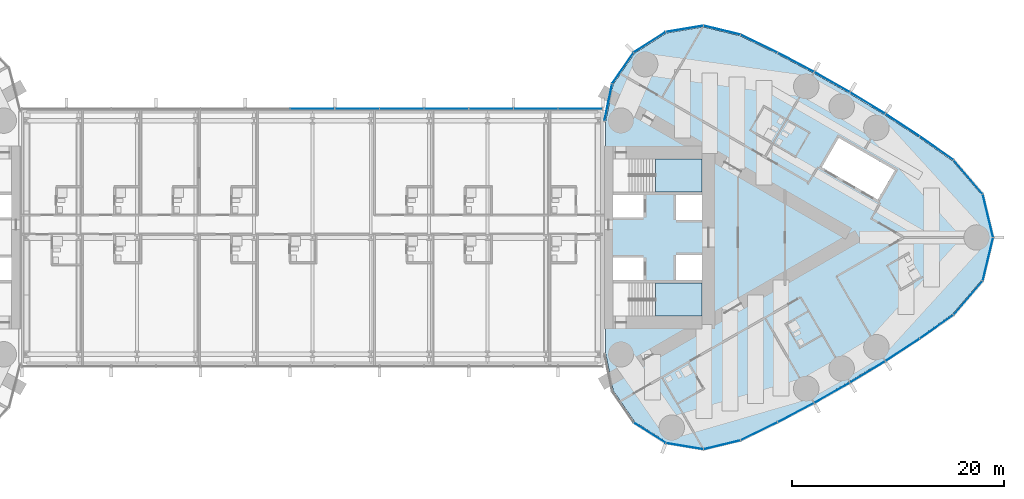
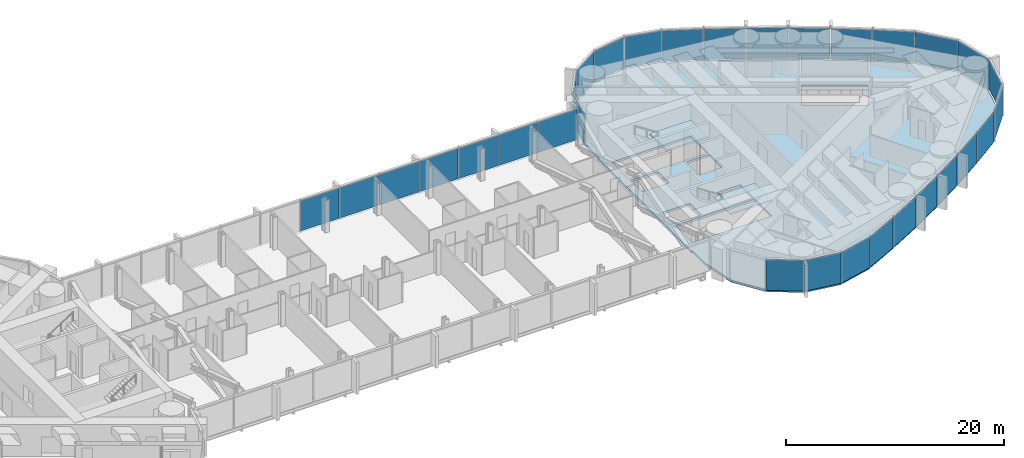
# One storey, part 13 of 22: 31 plates, 3 slabs, 4 elements without a shape of their own.
"""IFC4 building model written with IfcOpenShell, lengths in metres."""

from ifc_helpers import new_model, si_unit, direction, frame, origin, origin_2d, place, context, subcontext, project, spatial, polyline, rectangle, outline, extrude, material, layer, layer_set, type_object, element, aggregate, save


model = new_model("IFC4")

# Units and contexts
model_context = context("Model", 3, precision=1e-05, world=origin(), true_north=direction((0.0, 1.0)))
body_context = subcontext(model_context, "Body", "Model", "MODEL_VIEW")
ifc_project = project(units=[si_unit("LENGTHUNIT", "METRE"), si_unit("AREAUNIT", "SQUARE_METRE"), si_unit("VOLUMEUNIT", "CUBIC_METRE"), si_unit("PLANEANGLEUNIT", "RADIAN"), si_unit("MASSUNIT", "GRAM", prefix="KILO")], contexts=[model_context])

# Site, building, storey
site_placement = place(None, origin())
site = spatial("IfcSite", under=ifc_project, at=site_placement, CompositionType="ELEMENT")
building_placement = place(site_placement, origin())
building = spatial("IfcBuilding", under=site, at=building_placement, Name="Lancet Gate Hotel", CompositionType="ELEMENT")
storey_placement = place(building_placement, frame((0.0, 0.0, 229.699951171875)))
storey = spatial("IfcBuildingStorey", under=building, at=storey_placement, Name="L61", CompositionType="ELEMENT", Elevation=229.699951171875)

# Curtain wall, plates
ifc_material_1 = material(Name="Aluminium curtain wall", Category="aluminium")
curtain_wall_type_1 = type_object("IfcCurtainWallType", Name="Bridge block curtain wall", PredefinedType="USERDEFINED", material=ifc_material_1)
curtain_wall_1_placement = place(storey_placement, origin())
curtain_wall_1 = element("IfcCurtainWall", 1, at=curtain_wall_1_placement, inside=storey, type_object=curtain_wall_type_1, Name="Bridge block L61 curtain wall N", ObjectType="UNITISED CURTAIN WALL", PredefinedType="USERDEFINED")
ifc_material_2 = material(Name="Glass double glazed unit 8-16-6", Category="glass")
ifc_layer_1 = layer(ifc_material_2, 0.030029296875)
ifc_layer_set_1 = layer_set([ifc_layer_1], Name="Block vision panel")
plate_type_1 = type_object("IfcPlateType", Name="Block vision panel", PredefinedType="CURTAIN_PANEL", material=ifc_layer_set_1)
plate_1_placement = place(storey_placement, frame((25.24609375, 12.1201171875, 0.0), z_axis=(0.0, 0.0, 1.0), x_axis=(-1.0, 0.0, 0.0)))
plate_1 = element("IfcPlate", 2, at=plate_1_placement, type_object=plate_type_1, Name="Bridge block L61 curtain wall N panel 1", PredefinedType="CURTAIN_PANEL", context=body_context, shape_type="SweptSolid", body=[
    extrude(rectangle(XDim=4.142578125, YDim=0.030029296875, at=origin_2d()), origin(), (0.0, 0.0, 1.0), 3.449951171875),
])
plate_2_placement = place(storey_placement, frame((21.03857421875, 12.1201171875, 0.0), z_axis=(0.0, 0.0, 1.0), x_axis=(-1.0, 0.0, 0.0)))
plate_2 = element("IfcPlate", 3, at=plate_2_placement, type_object=plate_type_1, Name="Bridge block L61 curtain wall N panel 2", PredefinedType="CURTAIN_PANEL", context=body_context, shape_type="SweptSolid", body=[
    extrude(rectangle(XDim=4.142578125, YDim=0.030029296875, at=origin_2d()), origin(), (0.0, 0.0, 1.0), 3.449951171875),
])
plate_3_placement = place(storey_placement, frame((16.830810546875, 12.1201171875, 0.0), z_axis=(0.0, 0.0, 1.0), x_axis=(-1.0, 0.0, 0.0)))
plate_3 = element("IfcPlate", 4, at=plate_3_placement, type_object=plate_type_1, Name="Bridge block L61 curtain wall N panel 3", PredefinedType="CURTAIN_PANEL", context=body_context, shape_type="SweptSolid", body=[
    extrude(rectangle(XDim=4.142578125, YDim=0.030029296875, at=origin_2d()), origin(), (0.0, 0.0, 1.0), 3.449951171875),
])
plate_4_placement = place(storey_placement, frame((12.623046875, 12.1201171875, 0.0), z_axis=(0.0, 0.0, 1.0), x_axis=(-1.0, 0.0, 0.0)))
plate_4 = element("IfcPlate", 5, at=plate_4_placement, type_object=plate_type_1, Name="Bridge block L61 curtain wall N panel 4", PredefinedType="CURTAIN_PANEL", context=body_context, shape_type="SweptSolid", body=[
    extrude(rectangle(XDim=4.142578125, YDim=0.030029296875, at=origin_2d()), origin(), (0.0, 0.0, 1.0), 3.449951171875),
])
plate_5_placement = place(storey_placement, frame((8.415283203125, 12.1201171875, 0.0), z_axis=(0.0, 0.0, 1.0), x_axis=(-1.0, 0.0, 0.0)))
plate_5 = element("IfcPlate", 6, at=plate_5_placement, type_object=plate_type_1, Name="Bridge block L61 curtain wall N panel 5", PredefinedType="CURTAIN_PANEL", context=body_context, shape_type="SweptSolid", body=[
    extrude(rectangle(XDim=4.142578125, YDim=0.030029296875, at=origin_2d()), origin(), (0.0, 0.0, 1.0), 3.449951171875),
])
plate_6_placement = place(storey_placement, frame((4.207763671875, 12.1201171875, 0.0), z_axis=(0.0, 0.0, 1.0), x_axis=(-1.0, 0.0, 0.0)))
plate_6 = element("IfcPlate", 7, at=plate_6_placement, type_object=plate_type_1, Name="Bridge block L61 curtain wall N panel 6", PredefinedType="CURTAIN_PANEL", context=body_context, shape_type="SweptSolid", body=[
    extrude(rectangle(XDim=4.142578125, YDim=0.030029296875, at=origin_2d()), origin(), (0.0, 0.0, 1.0), 3.449951171875),
])
plate_7_placement = place(storey_placement, frame((0.0, 12.1201171875, 0.0), z_axis=(0.0, 0.0, 1.0), x_axis=(-1.0, 0.0, 0.0)))
plate_7 = element("IfcPlate", 8, at=plate_7_placement, type_object=plate_type_1, Name="Bridge block L61 curtain wall N panel 7", PredefinedType="CURTAIN_PANEL", context=body_context, shape_type="SweptSolid", body=[
    extrude(rectangle(XDim=4.142578125, YDim=0.030029296875, at=origin_2d()), origin(), (0.0, 0.0, 1.0), 3.449951171875),
])
aggregate(curtain_wall_1, [plate_1, plate_2, plate_3, plate_4, plate_5, plate_6, plate_7])

# Slab
ifc_material_3 = material(Name="Concrete C50/60", Category="concrete")
ifc_layer_2 = layer(ifc_material_3, 0.25)
ifc_layer_set_2 = layer_set([ifc_layer_2], Name="Floor slab 250")
slab_type_1 = type_object("IfcSlabType", Name="Floor slab 250", PredefinedType="FLOOR", material=ifc_layer_set_2)
slab_1_placement = place(storey_placement, frame((0.0, 0.0, -0.25)))
element("IfcSlab", 9, at=slab_1_placement, inside=storey, type_object=slab_type_1, Name="T2 L61 floor slab", PredefinedType="FLOOR", context=body_context, shape_type="SweptSolid", body=[
    extrude(outline(polyline([(27.5, -8.60009765625), (27.6201171875, -8.60009765625), (27.6201171875, -10.93603515625), (28.329345703125, -14.419677734375), (30.33740234375, -17.338134765625), (33.326904296875, -19.2392578125), (36.82177734375, -19.81982421875), (40.2763671875, -18.98486328125), (43.753662109375, -17.2890625), (47.18603515625, -15.47998046875), (50.5595703125, -13.56396484375), (53.87158203125, -11.54296875), (57.118408203125, -9.4189453125), (60.2861328125, -7.20166015625), (62.99658203125, -4.03759765625), (63.968017578125, 0.0), (62.99658203125, 4.03759765625), (60.2861328125, 7.20166015625), (57.118408203125, 9.4189453125), (53.87158203125, 11.54296875), (50.5595703125, 13.56396484375), (47.18603515625, 15.47998046875), (43.753662109375, 17.2890625), (40.2763671875, 18.98486328125), (36.82177734375, 19.81982421875), (33.326904296875, 19.2392578125), (30.33740234375, 17.338134765625), (28.329345703125, 14.419677734375), (27.6201171875, 10.93603515625), (27.6201171875, 8.60009765625), (27.5, 8.60009765625), (27.5, 8.199951171875), (27.5, -8.199951171875), (27.5, -8.60009765625)]), holes=[polyline([(36.699951171875, -7.39990234375), (36.699951171875, -4.300048828125), (28.300048828125, -4.300048828125), (28.300048828125, -7.39990234375), (36.699951171875, -7.39990234375)]), polyline([(28.300048828125, -4.0), (31.199951171875, -4.0), (31.199951171875, -1.89990234375), (28.300048828125, -1.89990234375), (28.300048828125, -4.0)]), polyline([(34.25, -4.0), (36.699951171875, -4.0), (36.699951171875, -1.64990234375), (34.25, -1.64990234375), (34.25, -4.0)]), polyline([(36.699951171875, 1.64990234375), (36.699951171875, 4.0), (34.25, 4.0), (34.25, 1.64990234375), (36.699951171875, 1.64990234375)]), polyline([(28.300048828125, 1.89990234375), (31.199951171875, 1.89990234375), (31.199951171875, 4.0), (28.300048828125, 4.0), (28.300048828125, 1.89990234375)]), polyline([(28.300048828125, 4.300048828125), (36.699951171875, 4.300048828125), (36.699951171875, 7.39990234375), (28.300048828125, 7.39990234375), (28.300048828125, 4.300048828125)]), polyline([(53.242919921875, 3.555908203125), (54.843017578125, 6.326904296875), (49.56103515625, 9.376953125), (47.9609375, 6.60595703125), (53.242919921875, 3.555908203125)])]), origin(), (0.0, 0.0, 1.0), 0.25),
])

# Stair, slab
ifc_material_4 = material(Name="Exit stair 20 risers 1500")
stair_type = type_object("IfcStairType", Name="Exit stair 20 risers 1500", PredefinedType="HALF_TURN_STAIR", material=ifc_material_4)
stair_1_placement = place(storey_placement, origin())
stair_1 = element("IfcStair", 10, at=stair_1_placement, inside=storey, type_object=stair_type, Name="T2 stair 1 L61", PredefinedType="HALF_TURN_STAIR")
ifc_material_5 = material(Name="Concrete C40/50", Category="concrete")
ifc_layer_3 = layer(ifc_material_5, 0.199951171875)
ifc_layer_set_3 = layer_set([ifc_layer_3], Name="Stair landing 200")
slab_type_2 = type_object("IfcSlabType", Name="Stair landing 200", PredefinedType="LANDING", material=ifc_layer_set_3)
slab_2_placement = place(storey_placement, frame((0.0, 0.0, 1.60009765625)))
slab_2 = element("IfcSlab", 11, at=slab_2_placement, type_object=slab_type_2, Name="ST3 landing 2", PredefinedType="LANDING", context=body_context, shape_type="SweptSolid", body=[
    extrude(outline(polyline([(32.320068359375, -7.39990234375), (36.699951171875, -7.39990234375), (36.699951171875, -4.300048828125), (32.320068359375, -4.300048828125), (32.320068359375, -7.39990234375)])), origin(), (0.0, 0.0, 1.0), 0.199951171875),
])
aggregate(stair_1, [slab_2])

stair_2_placement = place(storey_placement, origin())
stair_2 = element("IfcStair", 12, at=stair_2_placement, inside=storey, type_object=stair_type, Name="T2 stair 2 L61", PredefinedType="HALF_TURN_STAIR")
slab_3_placement = place(storey_placement, frame((0.0, 0.0, 1.60009765625)))
slab_3 = element("IfcSlab", 13, at=slab_3_placement, type_object=slab_type_2, Name="ST4 landing 2", PredefinedType="LANDING", context=body_context, shape_type="SweptSolid", body=[
    extrude(outline(polyline([(32.320068359375, 4.300048828125), (36.699951171875, 4.300048828125), (36.699951171875, 7.39990234375), (32.320068359375, 7.39990234375), (32.320068359375, 4.300048828125)])), origin(), (0.0, 0.0, 1.0), 0.199951171875),
])
aggregate(stair_2, [slab_3])

# Curtain wall, plates
ifc_material_6 = material(Name="Aluminium curtain wall", Category="aluminium")
curtain_wall_type_2 = type_object("IfcCurtainWallType", Name="Tower unitised curtain wall", PredefinedType="USERDEFINED", material=ifc_material_6)
curtain_wall_2_placement = place(storey_placement, origin())
curtain_wall_2 = element("IfcCurtainWall", 14, at=curtain_wall_2_placement, inside=storey, type_object=curtain_wall_type_2, Name="T2 L61 curtain wall 1", ObjectType="UNITISED CURTAIN WALL", PredefinedType="USERDEFINED")
ifc_material_7 = material(Name="Glass double glazed unit 8-16-6", Category="glass")
ifc_layer_4 = layer(ifc_material_7, 0.030029296875)
ifc_layer_set_4 = layer_set([ifc_layer_4], Name="Vision panel double glazed")
plate_type_2 = type_object("IfcPlateType", Name="Vision panel double glazed", PredefinedType="CURTAIN_PANEL", material=ifc_layer_set_4)
plate_8_placement = place(storey_placement, frame((31.767822265625, -18.389892578125, 0.0), z_axis=(0.0, 0.0, 1.0), x_axis=(0.843845020422, -0.536586974785, 0.0)))
plate_8 = element("IfcPlate", 15, at=plate_8_placement, type_object=plate_type_2, Name="T2 L61 curtain wall 1 panel 3", PredefinedType="CURTAIN_PANEL", context=body_context, shape_type="SweptSolid", body=[
    extrude(rectangle(XDim=3.526611328125, YDim=0.030029296875, at=origin_2d()), origin(), (0.0, 0.0, 1.0), 3.449951171875),
])
plate_9_placement = place(storey_placement, frame((35.0546875, -19.64794921875, 0.0), z_axis=(0.0, 0.0, 1.0), x_axis=(0.986480101775, -0.163881081283, 0.0)))
plate_9 = element("IfcPlate", 16, at=plate_9_placement, type_object=plate_type_2, Name="T2 L61 curtain wall 1 panel 4", PredefinedType="CURTAIN_PANEL", context=body_context, shape_type="SweptSolid", body=[
    extrude(rectangle(XDim=3.526611328125, YDim=0.030029296875, at=origin_2d()), origin(), (0.0, 0.0, 1.0), 3.449951171875),
])
plate_10_placement = place(storey_placement, frame((38.57177734375, -19.520263671875, 0.0), z_axis=(0.0, 0.0, 1.0), x_axis=(0.972013837597, 0.234923603582, 0.0)))
plate_10 = element("IfcPlate", 17, at=plate_10_placement, type_object=plate_type_2, Name="T2 L61 curtain wall 1 panel 5", PredefinedType="CURTAIN_PANEL", context=body_context, shape_type="SweptSolid", body=[
    extrude(rectangle(XDim=3.526611328125, YDim=0.030029296875, at=origin_2d()), origin(), (0.0, 0.0, 1.0), 3.449951171875),
])
plate_11_placement = place(storey_placement, frame((42.062744140625, -18.247314453125, 0.0), z_axis=(0.0, 0.0, 1.0), x_axis=(0.898823462202, 0.438310830114, 0.0)))
plate_11 = element("IfcPlate", 18, at=plate_11_placement, type_object=plate_type_2, Name="T2 L61 curtain wall 1 panel 6", PredefinedType="CURTAIN_PANEL", context=body_context, shape_type="SweptSolid", body=[
    extrude(rectangle(XDim=3.818603515625, YDim=0.030029296875, at=origin_2d()), origin(), (0.0, 0.0, 1.0), 3.449951171875),
])
plate_12_placement = place(storey_placement, frame((45.52587890625, -16.49072265625, 0.0), z_axis=(0.0, 0.0, 1.0), x_axis=(0.884622760861, 0.466307378204, 0.0)))
plate_12 = element("IfcPlate", 19, at=plate_12_placement, type_object=plate_type_2, Name="T2 L61 curtain wall 1 panel 7", PredefinedType="CURTAIN_PANEL", context=body_context, shape_type="SweptSolid", body=[
    extrude(rectangle(XDim=3.818603515625, YDim=0.030029296875, at=origin_2d()), origin(), (0.0, 0.0, 1.0), 3.449951171875),
])
plate_13_placement = place(storey_placement, frame((48.93212890625, -14.626220703125, 0.0), z_axis=(0.0, 0.0, 1.0), x_axis=(0.869550293306, 0.493844395951, 0.0)))
plate_13 = element("IfcPlate", 20, at=plate_13_placement, type_object=plate_type_2, Name="T2 L61 curtain wall 1 panel 8", PredefinedType="CURTAIN_PANEL", context=body_context, shape_type="SweptSolid", body=[
    extrude(rectangle(XDim=3.818603515625, YDim=0.030029296875, at=origin_2d()), origin(), (0.0, 0.0, 1.0), 3.449951171875),
])
plate_14_placement = place(storey_placement, frame((52.278076171875, -12.65576171875, 0.0), z_axis=(0.0, 0.0, 1.0), x_axis=(0.853620912967, 0.520894746513, 0.0)))
plate_14 = element("IfcPlate", 21, at=plate_14_placement, type_object=plate_type_2, Name="T2 L61 curtain wall 1 panel 9", PredefinedType="CURTAIN_PANEL", context=body_context, shape_type="SweptSolid", body=[
    extrude(rectangle(XDim=3.818603515625, YDim=0.030029296875, at=origin_2d()), origin(), (0.0, 0.0, 1.0), 3.449951171875),
])
plate_15_placement = place(storey_placement, frame((55.560791015625, -10.581298828125, 0.0), z_axis=(0.0, 0.0, 1.0), x_axis=(0.83685031771, 0.547431772688, 0.0)))
plate_15 = element("IfcPlate", 22, at=plate_15_placement, type_object=plate_type_2, Name="T2 L61 curtain wall 1 panel 10", PredefinedType="CURTAIN_PANEL", context=body_context, shape_type="SweptSolid", body=[
    extrude(rectangle(XDim=3.818603515625, YDim=0.030029296875, at=origin_2d()), origin(), (0.0, 0.0, 1.0), 3.449951171875),
])
plate_16_placement = place(storey_placement, frame((58.776611328125, -8.40478515625, 0.0), z_axis=(0.0, 0.0, 1.0), x_axis=(0.819255034386, 0.573429323137, 0.0)))
plate_16 = element("IfcPlate", 23, at=plate_16_placement, type_object=plate_type_2, Name="T2 L61 curtain wall 1 panel 11", PredefinedType="CURTAIN_PANEL", context=body_context, shape_type="SweptSolid", body=[
    extrude(rectangle(XDim=3.818603515625, YDim=0.030029296875, at=origin_2d()), origin(), (0.0, 0.0, 1.0), 3.449951171875),
])
plate_17_placement = place(storey_placement, frame((61.737060546875, -5.692626953125, 0.0), z_axis=(0.0, 0.0, 1.0), x_axis=(0.650551562434, 0.759462088991, 0.0)))
plate_17 = element("IfcPlate", 24, at=plate_17_placement, type_object=plate_type_2, Name="T2 L61 curtain wall 1 panel 12", PredefinedType="CURTAIN_PANEL", context=body_context, shape_type="SweptSolid", body=[
    extrude(rectangle(XDim=4.1455078125, YDim=0.030029296875, at=origin_2d()), origin(), (0.0, 0.0, 1.0), 3.449951171875),
])
plate_18_placement = place(storey_placement, frame((63.598876953125, -2.046875, 0.0), z_axis=(0.0, 0.0, 1.0), x_axis=(0.233916001796, 0.972256809749, 0.0)))
plate_18 = element("IfcPlate", 25, at=plate_18_placement, type_object=plate_type_2, Name="T2 L61 curtain wall 1 panel 13", PredefinedType="CURTAIN_PANEL", context=body_context, shape_type="SweptSolid", body=[
    extrude(rectangle(XDim=4.1455078125, YDim=0.030029296875, at=origin_2d()), origin(), (0.0, 0.0, 1.0), 3.449951171875),
])
plate_19_placement = place(storey_placement, frame((63.598876953125, 2.046875, 0.0), z_axis=(0.0, 0.0, 1.0), x_axis=(-0.233916001796, 0.972256809749, 0.0)))
plate_19 = element("IfcPlate", 26, at=plate_19_placement, type_object=plate_type_2, Name="T2 L61 curtain wall 1 panel 14", PredefinedType="CURTAIN_PANEL", context=body_context, shape_type="SweptSolid", body=[
    extrude(rectangle(XDim=4.1455078125, YDim=0.030029296875, at=origin_2d()), origin(), (0.0, 0.0, 1.0), 3.449951171875),
])
plate_20_placement = place(storey_placement, frame((61.737060546875, 5.692626953125, 0.0), z_axis=(0.0, 0.0, 1.0), x_axis=(-0.650551562434, 0.759462088991, 0.0)))
plate_20 = element("IfcPlate", 27, at=plate_20_placement, type_object=plate_type_2, Name="T2 L61 curtain wall 1 panel 15", PredefinedType="CURTAIN_PANEL", context=body_context, shape_type="SweptSolid", body=[
    extrude(rectangle(XDim=4.1455078125, YDim=0.030029296875, at=origin_2d()), origin(), (0.0, 0.0, 1.0), 3.449951171875),
])
plate_21_placement = place(storey_placement, frame((58.776611328125, 8.40478515625, 0.0), z_axis=(0.0, 0.0, 1.0), x_axis=(-0.819255034386, 0.573429323137, 0.0)))
plate_21 = element("IfcPlate", 28, at=plate_21_placement, type_object=plate_type_2, Name="T2 L61 curtain wall 1 panel 16", PredefinedType="CURTAIN_PANEL", context=body_context, shape_type="SweptSolid", body=[
    extrude(rectangle(XDim=3.818603515625, YDim=0.030029296875, at=origin_2d()), origin(), (0.0, 0.0, 1.0), 3.449951171875),
])
plate_22_placement = place(storey_placement, frame((55.560791015625, 10.581298828125, 0.0), z_axis=(0.0, 0.0, 1.0), x_axis=(-0.83685031771, 0.547431772688, 0.0)))
plate_22 = element("IfcPlate", 29, at=plate_22_placement, type_object=plate_type_2, Name="T2 L61 curtain wall 1 panel 17", PredefinedType="CURTAIN_PANEL", context=body_context, shape_type="SweptSolid", body=[
    extrude(rectangle(XDim=3.818603515625, YDim=0.030029296875, at=origin_2d()), origin(), (0.0, 0.0, 1.0), 3.449951171875),
])
plate_23_placement = place(storey_placement, frame((52.278076171875, 12.65576171875, 0.0), z_axis=(0.0, 0.0, 1.0), x_axis=(-0.853620912967, 0.520894746513, 0.0)))
plate_23 = element("IfcPlate", 30, at=plate_23_placement, type_object=plate_type_2, Name="T2 L61 curtain wall 1 panel 18", PredefinedType="CURTAIN_PANEL", context=body_context, shape_type="SweptSolid", body=[
    extrude(rectangle(XDim=3.818603515625, YDim=0.030029296875, at=origin_2d()), origin(), (0.0, 0.0, 1.0), 3.449951171875),
])
plate_24_placement = place(storey_placement, frame((48.93212890625, 14.626220703125, 0.0), z_axis=(0.0, 0.0, 1.0), x_axis=(-0.869550293306, 0.493844395951, 0.0)))
plate_24 = element("IfcPlate", 31, at=plate_24_placement, type_object=plate_type_2, Name="T2 L61 curtain wall 1 panel 19", PredefinedType="CURTAIN_PANEL", context=body_context, shape_type="SweptSolid", body=[
    extrude(rectangle(XDim=3.818603515625, YDim=0.030029296875, at=origin_2d()), origin(), (0.0, 0.0, 1.0), 3.449951171875),
])
plate_25_placement = place(storey_placement, frame((45.52587890625, 16.49072265625, 0.0), z_axis=(0.0, 0.0, 1.0), x_axis=(-0.884622760861, 0.466307378204, 0.0)))
plate_25 = element("IfcPlate", 32, at=plate_25_placement, type_object=plate_type_2, Name="T2 L61 curtain wall 1 panel 20", PredefinedType="CURTAIN_PANEL", context=body_context, shape_type="SweptSolid", body=[
    extrude(rectangle(XDim=3.818603515625, YDim=0.030029296875, at=origin_2d()), origin(), (0.0, 0.0, 1.0), 3.449951171875),
])
plate_26_placement = place(storey_placement, frame((42.062744140625, 18.247314453125, 0.0), z_axis=(0.0, 0.0, 1.0), x_axis=(-0.898823462202, 0.438310830114, 0.0)))
plate_26 = element("IfcPlate", 33, at=plate_26_placement, type_object=plate_type_2, Name="T2 L61 curtain wall 1 panel 21", PredefinedType="CURTAIN_PANEL", context=body_context, shape_type="SweptSolid", body=[
    extrude(rectangle(XDim=3.818603515625, YDim=0.030029296875, at=origin_2d()), origin(), (0.0, 0.0, 1.0), 3.449951171875),
])
plate_27_placement = place(storey_placement, frame((38.57177734375, 19.520263671875, 0.0), z_axis=(0.0, 0.0, 1.0), x_axis=(-0.972013837597, 0.234923603582, 0.0)))
plate_27 = element("IfcPlate", 34, at=plate_27_placement, type_object=plate_type_2, Name="T2 L61 curtain wall 1 panel 22", PredefinedType="CURTAIN_PANEL", context=body_context, shape_type="SweptSolid", body=[
    extrude(rectangle(XDim=3.526611328125, YDim=0.030029296875, at=origin_2d()), origin(), (0.0, 0.0, 1.0), 3.449951171875),
])
plate_28_placement = place(storey_placement, frame((35.0546875, 19.64794921875, 0.0), z_axis=(0.0, 0.0, 1.0), x_axis=(-0.986480101775, -0.163881081283, 0.0)))
plate_28 = element("IfcPlate", 35, at=plate_28_placement, type_object=plate_type_2, Name="T2 L61 curtain wall 1 panel 23", PredefinedType="CURTAIN_PANEL", context=body_context, shape_type="SweptSolid", body=[
    extrude(rectangle(XDim=3.526611328125, YDim=0.030029296875, at=origin_2d()), origin(), (0.0, 0.0, 1.0), 3.449951171875),
])
plate_29_placement = place(storey_placement, frame((31.767822265625, 18.389892578125, 0.0), z_axis=(0.0, 0.0, 1.0), x_axis=(-0.843845020422, -0.536586974785, 0.0)))
plate_29 = element("IfcPlate", 36, at=plate_29_placement, type_object=plate_type_2, Name="T2 L61 curtain wall 1 panel 24", PredefinedType="CURTAIN_PANEL", context=body_context, shape_type="SweptSolid", body=[
    extrude(rectangle(XDim=3.526611328125, YDim=0.030029296875, at=origin_2d()), origin(), (0.0, 0.0, 1.0), 3.449951171875),
])
plate_30_placement = place(storey_placement, frame((29.234619140625, 15.947021484375, 0.0), z_axis=(0.0, 0.0, 1.0), x_axis=(-0.566823864908, -0.823839005007, 0.0)))
plate_30 = element("IfcPlate", 37, at=plate_30_placement, type_object=plate_type_2, Name="T2 L61 curtain wall 1 panel 25", PredefinedType="CURTAIN_PANEL", context=body_context, shape_type="SweptSolid", body=[
    extrude(rectangle(XDim=3.526611328125, YDim=0.030029296875, at=origin_2d()), origin(), (0.0, 0.0, 1.0), 3.449951171875),
])
plate_31_placement = place(storey_placement, frame((27.8583984375, 12.707763671875, 0.0), z_axis=(0.0, 0.0, 1.0), x_axis=(-0.199533486841, -0.979891008036, 0.0)))
plate_31 = element("IfcPlate", 38, at=plate_31_placement, type_object=plate_type_2, Name="T2 L61 curtain wall 1 panel 26", PredefinedType="CURTAIN_PANEL", context=body_context, shape_type="SweptSolid", body=[
    extrude(rectangle(XDim=3.526611328125, YDim=0.030029296875, at=origin_2d()), origin(), (0.0, 0.0, 1.0), 3.449951171875),
])
aggregate(curtain_wall_2, [plate_8, plate_9, plate_10, plate_11, plate_12, plate_13, plate_14, plate_15, plate_16, plate_17, plate_18, plate_19, plate_20, plate_21, plate_22, plate_23, plate_24, plate_25, plate_26, plate_27, plate_28, plate_29, plate_30, plate_31])

save(model, "model.ifc")
